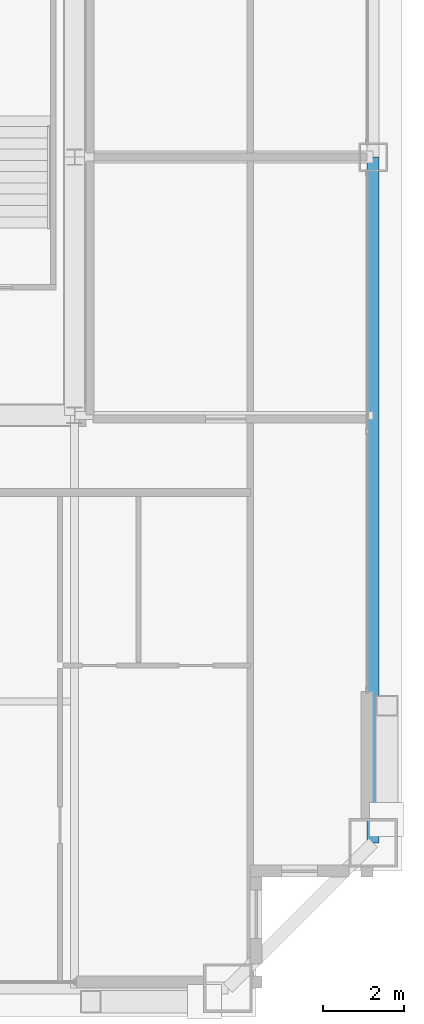
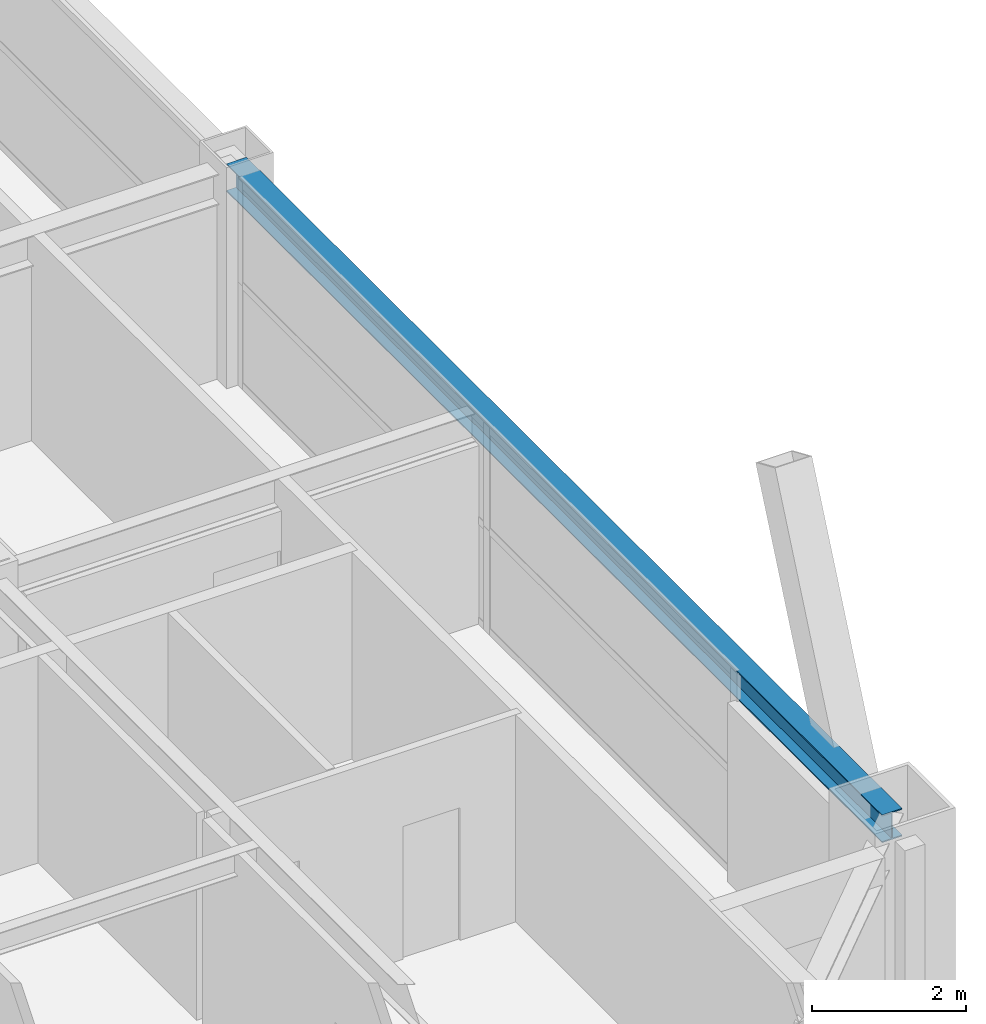
# One storey, part 17 of 35: 1 beam.
"""IFC4 building model written with IfcOpenShell, lengths in metres."""

from ifc_helpers import new_model, si_unit, direction, frame, origin, origin_2d, place, context, subcontext, project, spatial, i_section, extrude, source, transform, mapped, material, material_profile, profile_set, type_object, element, save


model = new_model("IFC4")

# Units and contexts
model_context = context("Model", 3, precision=1e-05, world=origin(), true_north=direction((0.0, 1.0)))
body_context = subcontext(model_context, "Body", "Model", "MODEL_VIEW")
ifc_project = project(units=[si_unit("LENGTHUNIT", "METRE"), si_unit("AREAUNIT", "SQUARE_METRE"), si_unit("VOLUMEUNIT", "CUBIC_METRE"), si_unit("PLANEANGLEUNIT", "RADIAN"), si_unit("MASSUNIT", "GRAM", prefix="KILO"), si_unit("THERMODYNAMICTEMPERATUREUNIT", "KELVIN"), si_unit("POWERUNIT", "WATT")], contexts=[model_context])

# Site, building, storey
site_placement = place(None, origin())
site = spatial("IfcSite", under=ifc_project, at=site_placement, CompositionType="ELEMENT")
building_placement = place(site_placement, origin())
building = spatial("IfcBuilding", under=site, at=building_placement, Name="Yuzanri Waterfront Tower", CompositionType="ELEMENT")
storey_placement = place(building_placement, frame((0.0, 0.0, 227.60009765625)))
storey = spatial("IfcBuildingStorey", under=building, at=storey_placement, Name="L60", CompositionType="ELEMENT", Elevation=227.60009765625)

# Beam
ifc_material = material(Name="Steel Q355B", Category="steel")
ifc_material_profile = material_profile(ifc_material, i_section(OverallWidth=0.300048828125, OverallDepth=0.43994140625, WebThickness=0.010986328125, FlangeThickness=0.01806640625, at=origin_2d()), Name="HM 440x300x11x18")
ifc_profile_set = profile_set([ifc_material_profile], Name="Steel Q355B")
beam_type = type_object("IfcBeamType", Name="Perimeter Spandrel Q355B HM 440x300", PredefinedType="SPANDREL", material=ifc_profile_set)
shared_shape = source(origin(), body_context, "Body", "SweptSolid", [
    extrude(i_section(OverallWidth=0.300048828125, OverallDepth=0.43994140625, WebThickness=0.010986328125, FlangeThickness=0.01806640625, at=origin_2d()), origin(), (0.0, 0.0, 1.0), 17.0),
])
beam_placement = place(storey_placement, frame((57.60009765625, 8.800048828125, 3.059814453125), z_axis=(0.0, 1.0, 0.0), x_axis=(-1.0, 0.0, 0.0)))
element("IfcBeam", 1, at=beam_placement, inside=storey, type_object=beam_type, Name="L60 Perimeter Spandrel E1-E2", PredefinedType="SPANDREL", context=body_context, shape_type="MappedRepresentation", body=[
    mapped(shared_shape, transform((0.0, 0.0, 0.0), scale=1.0)),
])

save(model, "model.ifc")
